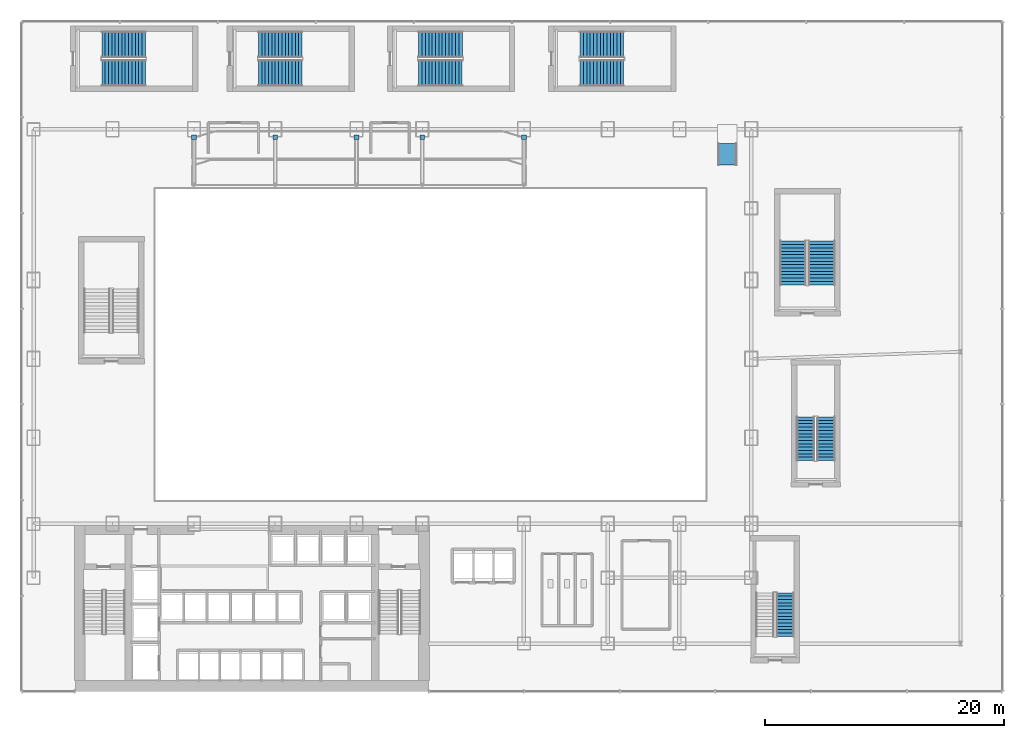
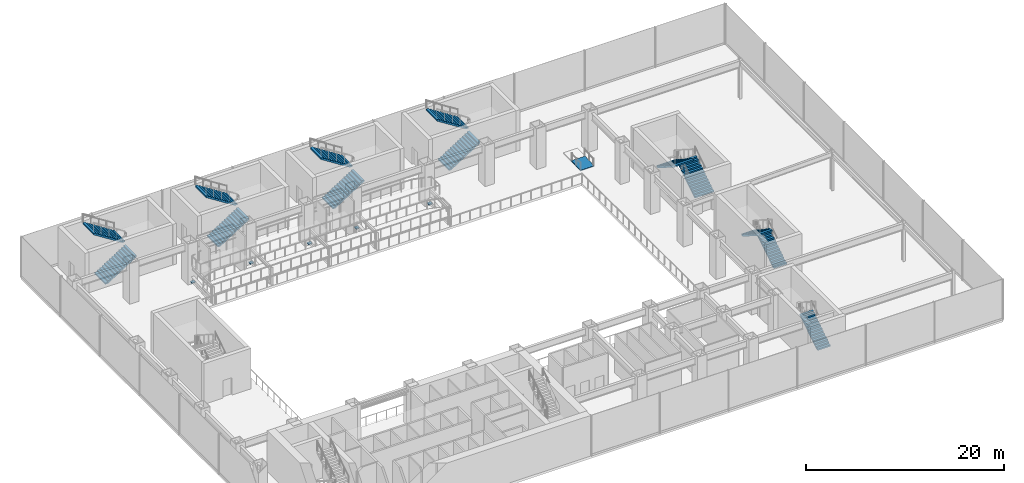
# One storey, part 31 of 39: 13 stair flights, 5 discrete accessories, 1 ramp flight, 8 elements without a shape of their own.
"""IFC4 building model written with IfcOpenShell, lengths in metres."""

import ifcopenshell
import ifcopenshell.guid

model = None  # the IFC model being written
_history = None  # IfcOwnerHistory: only IFC2X3 demands one
_inside = {}  # id of a spatial element -> (the spatial element, [elements in it])
_under = {}  # id of a project, library or spatial element -> (it, [spatial elements below it])
_declared = {}  # id of a project -> (the project, [libraries it declares])
_typed = {}  # id of a type object -> (the type object, [elements of that type])
_made_of = {}  # id of a material, layer set ... -> (it, [elements and type objects made of it])


def new_model(schema):
    """Start an empty IFC model of exactly this schema.

    Asked for "IFC4X3", IfcOpenShell would pick the latest addendum, in which some entities
    have other attributes; the version numbers below select the first issue.
    IFC2X3 requires an IfcOwnerHistory on every rooted entity: one is made here for all.
    """
    global model, _history
    if schema == "IFC4X3":
        model = ifcopenshell.file(schema_version=(4, 3, 0, 0))
    else:
        model = ifcopenshell.file(schema=schema)
    _inside.clear()
    _under.clear()
    _declared.clear()
    _typed.clear()
    _made_of.clear()
    _history = None
    if model.schema == "IFC2X3":
        org = make("IfcOrganization", Name="unknown")
        user = make(
            "IfcPersonAndOrganization",
            ThePerson=make("IfcPerson", FamilyName="unknown"),
            TheOrganization=org,
        )
        app = make(
            "IfcApplication",
            ApplicationDeveloper=org,
            Version="unknown",
            ApplicationFullName="unknown",
            ApplicationIdentifier="unknown",
        )
        _history = make(
            "IfcOwnerHistory",
            OwningUser=user,
            OwningApplication=app,
            ChangeAction="ADDED",
            CreationDate=0,
        )
    return model


def make(cls, **values):
    """One entity of the class cls with the attributes given. An attribute that is None is left unset."""
    return model.create_entity(
        cls, **{name: value for name, value in values.items() if value is not None}
    )


def rooted(cls, **values):
    """An entity with a GlobalId (a new one), such as an element, a storey or a relation."""
    return make(cls, GlobalId=ifcopenshell.guid.new(), OwnerHistory=_history, **values)


def si_unit(unit_type, name, prefix=None):
    """IfcSIUnit, for example si_unit("LENGTHUNIT", "METRE", prefix="MILLI")."""
    return make("IfcSIUnit", UnitType=unit_type, Prefix=prefix, Name=name)


def derived_unit(unit_type, elements):
    """IfcDerivedUnit: a product of units, each with its exponent."""
    return make(
        "IfcDerivedUnit",
        Elements=[
            make("IfcDerivedUnitElement", Unit=unit, Exponent=power)
            for unit, power in elements
        ],
        UnitType=unit_type,
    )


def assignment(units):
    """IfcUnitAssignment: the units of a project."""
    return None if units is None else make("IfcUnitAssignment", Units=units)


def point(xyz):
    """IfcCartesianPoint."""
    return None if xyz is None else make("IfcCartesianPoint", Coordinates=xyz)


def direction(xyz):
    """IfcDirection."""
    return None if xyz is None else make("IfcDirection", DirectionRatios=xyz)


def frame(location, z_axis=None, x_axis=None):
    """IfcAxis2Placement3D, a coordinate frame: its origin and axes. An axis left out is left unset."""
    return make(
        "IfcAxis2Placement3D",
        Location=point(location),
        Axis=direction(z_axis),
        RefDirection=direction(x_axis),
    )


def frame_2d(location, x_axis=None):
    """IfcAxis2Placement2D, a coordinate frame in the plane: its origin and x axis."""
    return make(
        "IfcAxis2Placement2D", Location=point(location), RefDirection=direction(x_axis)
    )


def origin():
    """The frame at (0, 0, 0) with its axes left unset."""
    return frame((0.0, 0.0, 0.0))


def origin_2d():
    """The frame at (0, 0) in the plane with its x axis left unset."""
    return frame_2d((0.0, 0.0))


def place(relative_to, where):
    """IfcLocalPlacement: puts the frame where relative to a parent placement (None: the world)."""
    return make(
        "IfcLocalPlacement", PlacementRelTo=relative_to, RelativePlacement=where
    )


def context(
    kind, dimensions, precision=None, world=None, true_north=None, identifier=None
):
    """IfcGeometricRepresentationContext, for example the 3D "Model" context."""
    return make(
        "IfcGeometricRepresentationContext",
        ContextIdentifier=identifier,
        ContextType=kind,
        CoordinateSpaceDimension=dimensions,
        Precision=precision,
        WorldCoordinateSystem=world,
        TrueNorth=true_north,
    )


def subcontext(parent, identifier, kind, view, scale=None):
    """IfcGeometricRepresentationSubContext, for example "Body" below "Model"."""
    return make(
        "IfcGeometricRepresentationSubContext",
        ContextIdentifier=identifier,
        ContextType=kind,
        ParentContext=parent,
        TargetScale=scale,
        TargetView=view,
    )


def project(units=None, contexts=None):
    """IfcProject with its units and contexts."""
    return rooted(
        "IfcProject",
        Name="project",
        RepresentationContexts=contexts,
        UnitsInContext=assignment(units),
    )


def spatial(cls, under=None, at=None, **own):
    """A site, building, storey or space (cls), placed at a placement, below another one or the project."""
    s = rooted(cls, ObjectPlacement=at, **own)
    if under is not None:
        _under.setdefault(under.id(), (under, []))[1].append(s)
    return s


def polyline(points):
    """IfcPolyline through the points."""
    return make("IfcPolyline", Points=[point(p) for p in points])


def profile(cls, at=None, kind="AREA", **sizes):
    """A parametric profile (cls). Its sizes go by their IFC names, for example OverallWidth=200.0."""
    return make(cls, ProfileType=kind, Position=at, **sizes)


def rectangle(**sizes):
    """IfcRectangleProfileDef."""
    return profile("IfcRectangleProfileDef", **sizes)


def outline(outer, holes=None, kind="AREA"):
    """IfcArbitraryClosedProfileDef: a profile drawn as a closed curve; with holes, ...WithVoids."""
    if holes is None:
        return make("IfcArbitraryClosedProfileDef", ProfileType=kind, OuterCurve=outer)
    return make(
        "IfcArbitraryProfileDefWithVoids",
        ProfileType=kind,
        OuterCurve=outer,
        InnerCurves=holes,
    )


def extrude(swept, where, along, depth):
    """IfcExtrudedAreaSolid: the profile swept, set in the frame where, extruded along a direction by depth."""
    return make(
        "IfcExtrudedAreaSolid",
        SweptArea=swept,
        Position=where,
        ExtrudedDirection=direction(along),
        Depth=depth,
    )


def shape(context_of_items, identifier, shape_type, items):
    """IfcShapeRepresentation: the items that make up one representation, for example the "Body"."""
    return make(
        "IfcShapeRepresentation",
        ContextOfItems=context_of_items,
        RepresentationIdentifier=identifier,
        RepresentationType=shape_type,
        Items=items,
    )


def source(mapping_origin, context_of_items, identifier, shape_type, items):
    """IfcRepresentationMap: a shape defined once, which mapped items show again and again."""
    return make(
        "IfcRepresentationMap",
        MappingOrigin=mapping_origin,
        MappedRepresentation=shape(context_of_items, identifier, shape_type, items),
    )


def transform(
    local_origin,
    x_axis=None,
    y_axis=None,
    z_axis=None,
    scale=None,
    scale2=None,
    scale3=None,
    uniform=True,
):
    """IfcCartesianTransformationOperator3D, or its non-uniform kind. x_axis, y_axis, z_axis: its Axis1, 2, 3."""
    if uniform:
        return make(
            "IfcCartesianTransformationOperator3D",
            Axis1=direction(x_axis),
            Axis2=direction(y_axis),
            LocalOrigin=point(local_origin),
            Scale=scale,
            Axis3=direction(z_axis),
        )
    return make(
        "IfcCartesianTransformationOperator3DnonUniform",
        Axis1=direction(x_axis),
        Axis2=direction(y_axis),
        LocalOrigin=point(local_origin),
        Scale=scale,
        Axis3=direction(z_axis),
        Scale2=scale2,
        Scale3=scale3,
    )


def mapped(mapping_source, mapping_target):
    """IfcMappedItem: shows the shape of a source again, moved by a transform."""
    return make(
        "IfcMappedItem", MappingSource=mapping_source, MappingTarget=mapping_target
    )


def material(Name=None, Category=None):
    """IfcMaterial."""
    return make("IfcMaterial", Name=Name, Category=Category)


def layer(
    of_material, thickness, ventilated=None, Name=None, Category=None, Priority=None
):
    """IfcMaterialLayer: one layer of a wall or slab, of a material (None: an air gap)."""
    return make(
        "IfcMaterialLayer",
        Material=of_material,
        LayerThickness=thickness,
        IsVentilated=ventilated,
        Name=Name,
        Category=Category,
        Priority=Priority,
    )


def layer_set(layers, Name=None):
    """IfcMaterialLayerSet."""
    return make("IfcMaterialLayerSet", MaterialLayers=layers, LayerSetName=Name)


def made_of(thing, what):
    """Note that an element or type object is made of a material, layer set ...; save() writes the relation."""
    if what is not None:
        _made_of.setdefault(what.id(), (what, []))[1].append(thing)
    return thing


def type_object(cls, material=None, **own):
    """A type object (cls), such as IfcWallType, which elements share."""
    return made_of(rooted(cls, **own), material)


def element(
    cls,
    number,
    at=None,
    inside=None,
    cuts=None,
    type_object=None,
    material=None,
    context=None,
    identifier="Body",
    shape_type=None,
    held_by="IfcProductDefinitionShape",
    body=None,
    shapes=None,
    **own,
):
    """One element of the class cls, such as IfcWall. Its Tag is "e" and its number.

    at: its placement. inside: the storey or other place that contains it. cuts: it is an
    opening in that element (IfcRelVoidsElement). A single representation is given by context,
    identifier, shape_type and body (its items); several are given by shapes. held_by: the class
    of the entity that holds the representations. save() writes the other relations.
    """
    e = rooted(cls, Tag="e%d" % number, ObjectPlacement=at, **own)
    if body is not None:
        shapes = [shape(context, identifier, shape_type, body)]
    if shapes is not None:
        e.Representation = make(held_by, Representations=shapes)
    if inside is not None:
        _inside.setdefault(inside.id(), (inside, []))[1].append(e)
    if cuts is not None:
        rooted(
            "IfcRelVoidsElement", RelatingBuildingElement=cuts, RelatedOpeningElement=e
        )
    if type_object is not None:
        _typed.setdefault(type_object.id(), (type_object, []))[1].append(e)
    return made_of(e, material)


def aggregate(whole, parts):
    """IfcRelAggregates: a whole, such as a stair, and the parts it consists of."""
    return rooted("IfcRelAggregates", RelatingObject=whole, RelatedObjects=parts)


def save(model, path):
    """Write the relations noted so far, then the file.

    IfcRelAggregates (storeys below a building ...), IfcRelContainedInSpatialStructure (elements
    in a storey), IfcRelDefinesByType, IfcRelAssociatesMaterial and IfcRelDeclares: one each for
    every whole, place, type object, material and project.
    """
    for whole, parts in _under.values():
        aggregate(whole, parts)
    for where, things in _inside.values():
        rooted(
            "IfcRelContainedInSpatialStructure",
            RelatedElements=things,
            RelatingStructure=where,
        )
    for kind, things in _typed.values():
        rooted("IfcRelDefinesByType", RelatedObjects=things, RelatingType=kind)
    for what, things in _made_of.values():
        rooted("IfcRelAssociatesMaterial", RelatedObjects=things, RelatingMaterial=what)
    for by, libraries in _declared.values():
        rooted("IfcRelDeclares", RelatingContext=by, RelatedDefinitions=libraries)
    model.write(path)


model = new_model("IFC4")

# Units and contexts
model_context = context("Model", 3, precision=1e-05, world=origin(), true_north=direction((0.0, 1.0)))
body_context = subcontext(model_context, "Body", "Model", "MODEL_VIEW")
ifc_project = project(units=[si_unit("LENGTHUNIT", "METRE"), si_unit("AREAUNIT", "SQUARE_METRE"), si_unit("VOLUMEUNIT", "CUBIC_METRE"), si_unit("PLANEANGLEUNIT", "RADIAN"), si_unit("MASSUNIT", "GRAM", prefix="KILO"), derived_unit("THERMALTRANSMITTANCEUNIT", [(si_unit("POWERUNIT", "WATT"), 1), (si_unit("LENGTHUNIT", "METRE"), -2), (si_unit("THERMODYNAMICTEMPERATUREUNIT", "KELVIN"), -1)])], contexts=[model_context])

# Site, building, storey
site_placement = place(None, origin())
site = spatial("IfcSite", under=ifc_project, at=site_placement, CompositionType="ELEMENT")
building_placement = place(site_placement, origin())
building = spatial("IfcBuilding", under=site, at=building_placement, Name="Skarnbrae Concourse Arena and Tower", CompositionType="ELEMENT")
storey_placement = place(building_placement, frame((0.0, 0.0, 16.0)))
storey = spatial("IfcBuildingStorey", under=building, at=storey_placement, Name="L03", CompositionType="ELEMENT", Elevation=16.0)

# Stair, stair flight
ifc_material_1 = material(Name="Concrete 40 MPa (C40/50)", Category="concrete")
stair_type_1 = type_object("IfcStairType", Name="STAIR-DOGLEG-1500", PredefinedType="HALF_TURN_STAIR", material=ifc_material_1)
stair_1_placement = place(storey_placement, origin())
stair_1 = element("IfcStair", 1, at=stair_1_placement, inside=storey, type_object=stair_type_1, Name="L03 Arena Exit Stair ST-A1", PredefinedType="HALF_TURN_STAIR")
stair_flight_type_1 = type_object("IfcStairFlightType", Name="FLIGHT-STRAIGHT-1500", PredefinedType="STRAIGHT", material=ifc_material_1)
shared_shape_1 = source(origin(), body_context, "Body", "SweptSolid", [
    extrude(outline(polyline([(0.0, 0.0), (0.0, 0.178466796875), (0.280029296875, 0.178466796875), (0.280029296875, 0.357177734375), (0.56005859375, 0.357177734375), (0.56005859375, 0.53564453125), (0.840087890625, 0.53564453125), (0.840087890625, 0.71435546875), (1.1201171875, 0.71435546875), (1.1201171875, 0.892822265625), (1.39990234375, 0.892822265625), (1.39990234375, 1.071533203125), (1.679931640625, 1.071533203125), (1.679931640625, 1.25), (1.9599609375, 1.25), (1.9599609375, 1.428466796875), (2.239990234375, 1.428466796875), (2.239990234375, 1.607177734375), (2.52001953125, 1.607177734375), (2.52001953125, 1.78564453125), (2.800048828125, 1.78564453125), (2.800048828125, 1.96435546875), (3.080078125, 1.96435546875), (3.080078125, 2.142822265625), (3.360107421875, 2.142822265625), (3.360107421875, 2.321533203125), (3.639892578125, 2.321533203125), (3.639892578125, 2.5), (3.639892578125, 2.1435546875), (0.27880859375, 0.0), (0.0, 0.0)])), frame((0.0, 0.75, 0.0), z_axis=(0.0, -1.0, 0.0), x_axis=(1.0, 0.0, 0.0)), (0.0, 0.0, 1.0), 1.5),
])
stair_flight_1_placement = place(storey_placement, frame((63.85009765625, 4.60009765625, 0.0), z_axis=(0.0, 0.0, 1.0), x_axis=(0.0, 1.0, 0.0)))
stair_flight_1 = element("IfcStairFlight", 2, at=stair_flight_1_placement, type_object=stair_flight_type_1, Name="ST-A1 flight 1", NumberOfRisers=14, NumberOfTreads=13, PredefinedType="STRAIGHT", RiserHeight=0.178571429, TreadLength=0.28, context=body_context, shape_type="MappedRepresentation", body=[
    mapped(shared_shape_1, transform((0.0, 0.0, 0.0))),
])
aggregate(stair_1, [stair_flight_1])

# Stair, stair flights
stair_2_placement = place(storey_placement, origin())
stair_2 = element("IfcStair", 3, at=stair_2_placement, inside=storey, type_object=stair_type_1, Name="L03 Arena Exit Stair ST-A2", PredefinedType="HALF_TURN_STAIR")
stair_flight_2_placement = place(storey_placement, frame((67.25, 19.300048828125, 0.0), z_axis=(0.0, 0.0, 1.0), x_axis=(0.0, 1.0, 0.0)))
stair_flight_2 = element("IfcStairFlight", 4, at=stair_flight_2_placement, type_object=stair_flight_type_1, Name="ST-A2 flight 1", NumberOfRisers=14, NumberOfTreads=13, PredefinedType="STRAIGHT", RiserHeight=0.178571429, TreadLength=0.28, context=body_context, shape_type="MappedRepresentation", body=[
    mapped(shared_shape_1, transform((0.0, 0.0, 0.0))),
])
stair_flight_3_placement = place(storey_placement, frame((65.550048828125, 22.93994140625, 2.5), z_axis=(0.0, 0.0, 1.0), x_axis=(0.0, -1.0, 0.0)))
stair_flight_3 = element("IfcStairFlight", 5, at=stair_flight_3_placement, type_object=stair_flight_type_1, Name="ST-A2 flight 2", NumberOfRisers=14, NumberOfTreads=13, PredefinedType="STRAIGHT", RiserHeight=0.178571429, TreadLength=0.28, context=body_context, shape_type="MappedRepresentation", body=[
    mapped(shared_shape_1, transform((0.0, 0.0, 0.0))),
])
aggregate(stair_2, [stair_flight_2, stair_flight_3])

stair_type_2 = type_object("IfcStairType", Name="STAIR-DOGLEG-2200", PredefinedType="HALF_TURN_STAIR", material=ifc_material_1)
stair_3_placement = place(storey_placement, origin())
stair_3 = element("IfcStair", 6, at=stair_3_placement, inside=storey, type_object=stair_type_2, Name="L03 Arena Exit Stair ST-A4", PredefinedType="HALF_TURN_STAIR")
stair_flight_type_2 = type_object("IfcStairFlightType", Name="FLIGHT-STRAIGHT-2200", PredefinedType="STRAIGHT", material=ifc_material_1)
shared_shape_2 = source(origin(), body_context, "Body", "SweptSolid", [
    extrude(outline(polyline([(0.0, 0.0), (0.0, 0.178466796875), (0.280029296875, 0.178466796875), (0.280029296875, 0.357177734375), (0.56005859375, 0.357177734375), (0.56005859375, 0.53564453125), (0.840087890625, 0.53564453125), (0.840087890625, 0.71435546875), (1.1201171875, 0.71435546875), (1.1201171875, 0.892822265625), (1.39990234375, 0.892822265625), (1.39990234375, 1.071533203125), (1.679931640625, 1.071533203125), (1.679931640625, 1.25), (1.9599609375, 1.25), (1.9599609375, 1.428466796875), (2.239990234375, 1.428466796875), (2.239990234375, 1.607177734375), (2.52001953125, 1.607177734375), (2.52001953125, 1.78564453125), (2.800048828125, 1.78564453125), (2.800048828125, 1.96435546875), (3.080078125, 1.96435546875), (3.080078125, 2.142822265625), (3.360107421875, 2.142822265625), (3.360107421875, 2.321533203125), (3.639892578125, 2.321533203125), (3.639892578125, 2.5), (3.639892578125, 2.1435546875), (0.27880859375, 0.0), (0.0, 0.0)])), frame((0.0, 1.10009765625, 0.0), z_axis=(0.0, -1.0, 0.0), x_axis=(1.0, 0.0, 0.0)), (0.0, 0.0, 1.0), 2.199951171875),
])
stair_flight_4_placement = place(storey_placement, frame((66.89990234375, 34.0, 0.0), z_axis=(0.0, 0.0, 1.0), x_axis=(0.0, 1.0, 0.0)))
stair_flight_4 = element("IfcStairFlight", 7, at=stair_flight_4_placement, type_object=stair_flight_type_2, Name="ST-A4 flight 1", NumberOfRisers=14, NumberOfTreads=13, PredefinedType="STRAIGHT", RiserHeight=0.178571429, TreadLength=0.28, context=body_context, shape_type="MappedRepresentation", body=[
    mapped(shared_shape_2, transform((0.0, 0.0, 0.0))),
])
stair_flight_5_placement = place(storey_placement, frame((64.5, 37.639892578125, 2.5), z_axis=(0.0, 0.0, 1.0), x_axis=(0.0, -1.0, 0.0)))
stair_flight_5 = element("IfcStairFlight", 8, at=stair_flight_5_placement, type_object=stair_flight_type_2, Name="ST-A4 flight 2", NumberOfRisers=14, NumberOfTreads=13, PredefinedType="STRAIGHT", RiserHeight=0.178571429, TreadLength=0.28, context=body_context, shape_type="MappedRepresentation", body=[
    mapped(shared_shape_2, transform((0.0, 0.0, 0.0))),
])
aggregate(stair_3, [stair_flight_4, stair_flight_5])

stair_4_placement = place(storey_placement, origin())
stair_4 = element("IfcStair", 9, at=stair_4_placement, inside=storey, type_object=stair_type_2, Name="L03 Arena Exit Stair ST-A5", PredefinedType="HALF_TURN_STAIR")
stair_flight_6_placement = place(storey_placement, frame((6.699951171875, 51.699951171875, 0.0), z_axis=(0.0, 0.0, 1.0), x_axis=(1.0, 0.0, 0.0)))
stair_flight_6 = element("IfcStairFlight", 10, at=stair_flight_6_placement, type_object=stair_flight_type_2, Name="ST-A5 flight 1", NumberOfRisers=14, NumberOfTreads=13, PredefinedType="STRAIGHT", RiserHeight=0.178571429, TreadLength=0.28, context=body_context, shape_type="MappedRepresentation", body=[
    mapped(shared_shape_2, transform((0.0, 0.0, 0.0))),
])
stair_flight_7_placement = place(storey_placement, frame((10.340087890625, 54.10009765625, 2.5), z_axis=(0.0, 0.0, 1.0), x_axis=(-1.0, 0.0, 0.0)))
stair_flight_7 = element("IfcStairFlight", 11, at=stair_flight_7_placement, type_object=stair_flight_type_2, Name="ST-A5 flight 2", NumberOfRisers=14, NumberOfTreads=13, PredefinedType="STRAIGHT", RiserHeight=0.178571429, TreadLength=0.28, context=body_context, shape_type="MappedRepresentation", body=[
    mapped(shared_shape_2, transform((0.0, 0.0, 0.0))),
])
aggregate(stair_4, [stair_flight_6, stair_flight_7])

stair_5_placement = place(storey_placement, origin())
stair_5 = element("IfcStair", 12, at=stair_5_placement, inside=storey, type_object=stair_type_2, Name="L03 Arena Exit Stair ST-A6", PredefinedType="HALF_TURN_STAIR")
stair_flight_8_placement = place(storey_placement, frame((19.800048828125, 51.699951171875, 0.0), z_axis=(0.0, 0.0, 1.0), x_axis=(1.0, 0.0, 0.0)))
stair_flight_8 = element("IfcStairFlight", 13, at=stair_flight_8_placement, type_object=stair_flight_type_2, Name="ST-A6 flight 1", NumberOfRisers=14, NumberOfTreads=13, PredefinedType="STRAIGHT", RiserHeight=0.178571429, TreadLength=0.28, context=body_context, shape_type="MappedRepresentation", body=[
    mapped(shared_shape_2, transform((0.0, 0.0, 0.0))),
])
stair_flight_9_placement = place(storey_placement, frame((23.43994140625, 54.10009765625, 2.5), z_axis=(0.0, 0.0, 1.0), x_axis=(-1.0, 0.0, 0.0)))
stair_flight_9 = element("IfcStairFlight", 14, at=stair_flight_9_placement, type_object=stair_flight_type_2, Name="ST-A6 flight 2", NumberOfRisers=14, NumberOfTreads=13, PredefinedType="STRAIGHT", RiserHeight=0.178571429, TreadLength=0.28, context=body_context, shape_type="MappedRepresentation", body=[
    mapped(shared_shape_2, transform((0.0, 0.0, 0.0))),
])
aggregate(stair_5, [stair_flight_8, stair_flight_9])

stair_6_placement = place(storey_placement, origin())
stair_6 = element("IfcStair", 15, at=stair_6_placement, inside=storey, type_object=stair_type_2, Name="L03 Arena Exit Stair ST-A7", PredefinedType="HALF_TURN_STAIR")
stair_flight_10_placement = place(storey_placement, frame((33.199951171875, 51.699951171875, 0.0), z_axis=(0.0, 0.0, 1.0), x_axis=(1.0, 0.0, 0.0)))
stair_flight_10 = element("IfcStairFlight", 16, at=stair_flight_10_placement, type_object=stair_flight_type_2, Name="ST-A7 flight 1", NumberOfRisers=14, NumberOfTreads=13, PredefinedType="STRAIGHT", RiserHeight=0.178571429, TreadLength=0.28, context=body_context, shape_type="MappedRepresentation", body=[
    mapped(shared_shape_2, transform((0.0, 0.0, 0.0))),
])
stair_flight_11_placement = place(storey_placement, frame((36.840087890625, 54.10009765625, 2.5), z_axis=(0.0, 0.0, 1.0), x_axis=(-1.0, 0.0, 0.0)))
stair_flight_11 = element("IfcStairFlight", 17, at=stair_flight_11_placement, type_object=stair_flight_type_2, Name="ST-A7 flight 2", NumberOfRisers=14, NumberOfTreads=13, PredefinedType="STRAIGHT", RiserHeight=0.178571429, TreadLength=0.28, context=body_context, shape_type="MappedRepresentation", body=[
    mapped(shared_shape_2, transform((0.0, 0.0, 0.0))),
])
aggregate(stair_6, [stair_flight_10, stair_flight_11])

stair_7_placement = place(storey_placement, origin())
stair_7 = element("IfcStair", 18, at=stair_7_placement, inside=storey, type_object=stair_type_2, Name="L03 Arena Exit Stair ST-A8", PredefinedType="HALF_TURN_STAIR")
stair_flight_12_placement = place(storey_placement, frame((46.699951171875, 51.699951171875, 0.0), z_axis=(0.0, 0.0, 1.0), x_axis=(1.0, 0.0, 0.0)))
stair_flight_12 = element("IfcStairFlight", 19, at=stair_flight_12_placement, type_object=stair_flight_type_2, Name="ST-A8 flight 1", NumberOfRisers=14, NumberOfTreads=13, PredefinedType="STRAIGHT", RiserHeight=0.178571429, TreadLength=0.28, context=body_context, shape_type="MappedRepresentation", body=[
    mapped(shared_shape_2, transform((0.0, 0.0, 0.0))),
])
stair_flight_13_placement = place(storey_placement, frame((50.340087890625, 54.10009765625, 2.5), z_axis=(0.0, 0.0, 1.0), x_axis=(-1.0, 0.0, 0.0)))
stair_flight_13 = element("IfcStairFlight", 20, at=stair_flight_13_placement, type_object=stair_flight_type_2, Name="ST-A8 flight 2", NumberOfRisers=14, NumberOfTreads=13, PredefinedType="STRAIGHT", RiserHeight=0.178571429, TreadLength=0.28, context=body_context, shape_type="MappedRepresentation", body=[
    mapped(shared_shape_2, transform((0.0, 0.0, 0.0))),
])
aggregate(stair_7, [stair_flight_12, stair_flight_13])

# Ramp, ramp flight
ramp_type = type_object("IfcRampType", Name="RAMP-ACC-1600", PredefinedType="STRAIGHT_RUN_RAMP", material=ifc_material_1)
ramp_placement = place(storey_placement, origin())
ramp = element("IfcRamp", 21, at=ramp_placement, inside=storey, type_object=ramp_type, Name="L03 Barrier-free accessible ramp R-A04", PredefinedType="STRAIGHT_RUN_RAMP")
ifc_layer = layer(ifc_material_1, 0.25)
ifc_layer_set = layer_set([ifc_layer], Name="Concrete 40 MPa (C40/50)")
ramp_flight_type = type_object("IfcRampFlightType", Name="RAMPFLIGHT-ACC-250", PredefinedType="STRAIGHT", material=ifc_layer_set)
ramp_flight_placement = place(storey_placement, frame((58.199951171875, 44.0, 0.02001953125), z_axis=(0.0, -0.06644715358, 0.997789945721), x_axis=(1.0, 0.0, 0.0)))
ramp_flight = element("IfcRampFlight", 22, at=ramp_flight_placement, type_object=ramp_flight_type, Name="L03 Accessible ramp flight 04", PredefinedType="STRAIGHT", context=body_context, shape_type="SweptSolid", body=[
    extrude(outline(polyline([(0.0, 0.0), (1.60009765625, 0.0), (1.60009765625, 1.8040358452650773), (0.0, 1.8040358452650773), (0.0, 0.0)])), origin(), (0.0, 0.0, -1.0), 0.1201171875),
])
aggregate(ramp, [ramp_flight])

# Discrete accessories
ifc_material_2 = material(Name="Steel CSA G40.21 350W", Category="steel")
discrete_accessory_type = type_object("IfcDiscreteAccessoryType", Name="ACC-BEARING-RAKER-RB01", PredefinedType="SHOE", material=ifc_material_2)
shared_shape_3 = source(origin(), body_context, "Body", "SweptSolid", [
    extrude(rectangle(XDim=0.39990234375, YDim=0.39990234375, at=origin_2d()), origin(), (0.0, 0.0, 1.0), 0.10009765625),
])
for number, where, z_axis, x_axis, name in (
    (23, (14.39990234375, 46.330078125, 0.169921875), (0.0, 0.0, 1.0), (1.0, 0.0, 0.0), "L03 Guided Arena Raker Bearing RB-01 N01"),
    (24, (21.199951171875, 46.330078125, 0.169921875), (0.0, 0.0, 1.0), (1.0, 0.0, 0.0), "L03 Guided Arena Raker Bearing RB-01 N02"),
    (25, (28.0, 46.330078125, 0.169921875), (0.0, 0.0, 1.0), (1.0, 0.0, 0.0), "L03 Guided Arena Raker Bearing RB-01 N03"),
    (26, (33.5, 46.330078125, 0.169921875), (0.0, 0.0, 1.0), (1.0, 0.0, 0.0), "L03 Guided Arena Raker Bearing RB-01 N04"),
    (27, (42.0, 46.330078125, 0.169921875), (0.0, 0.0, 1.0), (1.0, 0.0, 0.0), "L03 Guided Arena Raker Bearing RB-01 N05"),
):
    element("IfcDiscreteAccessory", number, at=place(storey_placement, frame(where, z_axis=z_axis, x_axis=x_axis)), inside=storey, type_object=discrete_accessory_type, Name=name, PredefinedType="SHOE", context=body_context, shape_type="MappedRepresentation", body=[
        mapped(shared_shape_3, transform((0.0, 0.0, 0.0))),
    ])

save(model, "model.ifc")
